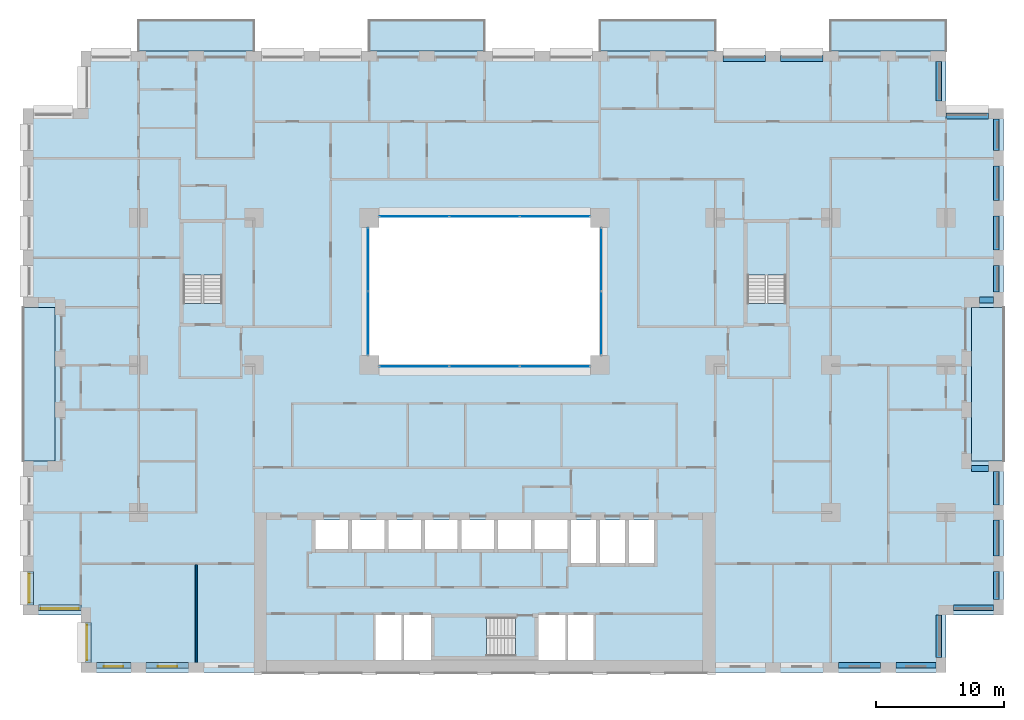
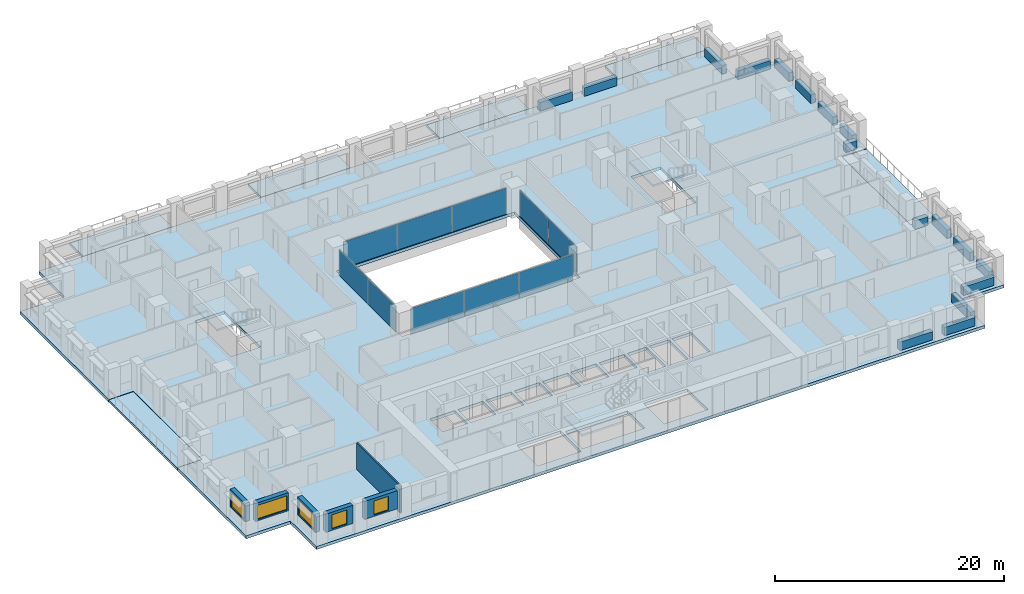
# One storey, part 8 of 20: 17 beams, 10 plates, 10 slabs, 6 walls, 5 windows, 5 openings, 7 elements without a shape of their own.
"""IFC4 building model written with IfcOpenShell, lengths in metres."""

from ifc_helpers import new_model, si_unit, direction, frame, frame_2d, origin, origin_2d, place, context, subcontext, project, spatial, polyline, rectangle, outline, extrude, material, layer, layer_set, material_profile, profile_set, type_object, element, fill, aggregate, save


model = new_model("IFC4")

# Units and contexts
model_context = context("Model", 3, precision=1e-05, world=origin(), true_north=direction((0.0, 1.0)))
body_context = subcontext(model_context, "Body", "Model", "MODEL_VIEW")
ifc_project = project(units=[si_unit("LENGTHUNIT", "METRE"), si_unit("AREAUNIT", "SQUARE_METRE"), si_unit("VOLUMEUNIT", "CUBIC_METRE"), si_unit("PLANEANGLEUNIT", "RADIAN"), si_unit("MASSUNIT", "GRAM", prefix="KILO")], contexts=[model_context])

# Site, building, storey
site_placement = place(None, origin())
site = spatial("IfcSite", under=ifc_project, at=site_placement, CompositionType="ELEMENT")
building_placement = place(site_placement, origin())
building = spatial("IfcBuilding", under=site, at=building_placement, Name="Brigalow Station Residences", CompositionType="ELEMENT")
storey_placement = place(building_placement, frame((0.0, 0.0, 66.75)))
storey = spatial("IfcBuildingStorey", under=building, at=storey_placement, Name="L19", CompositionType="ELEMENT", Elevation=66.75)

# Beams
ifc_material_1 = material(Name="Concrete C65", Category="concrete")
ifc_material_profile = material_profile(ifc_material_1, rectangle(XDim=0.449951171875, YDim=0.89990234375, at=origin_2d()), Name="RC450x900")
ifc_profile_set = profile_set([ifc_material_profile], Name="Concrete C65")
beam_type = type_object("IfcBeamType", Name="SPANDREL BEAM 450x900 C65", PredefinedType="SPANDREL", material=ifc_profile_set)
beam_1_placement = place(storey_placement, frame((63.60009765625, 0.574951171875, 0.449951171875), z_axis=(1.0, 0.0, 0.0), x_axis=(0.0, 1.0, 0.0)))
element("IfcBeam", 1, at=beam_1_placement, inside=storey, type_object=beam_type, Name="L19/spandrel/W-L19-7", PredefinedType="SPANDREL", context=body_context, shape_type="SweptSolid", body=[
    extrude(rectangle(XDim=0.449951171875, YDim=0.89990234375, at=origin_2d()), origin(), (0.0, 0.0, 1.0), 3.2998046875),
])
beam_2_placement = place(storey_placement, frame((68.10009765625, 0.574951171875, 0.449951171875), z_axis=(1.0, 0.0, 0.0), x_axis=(0.0, 1.0, 0.0)))
element("IfcBeam", 2, at=beam_2_placement, inside=storey, type_object=beam_type, Name="L19/spandrel/W-L19-8", PredefinedType="SPANDREL", context=body_context, shape_type="SweptSolid", body=[
    extrude(rectangle(XDim=0.449951171875, YDim=0.89990234375, at=origin_2d()), origin(), (0.0, 0.0, 1.0), 3.099853515625),
])
beam_3_placement = place(storey_placement, frame((71.425048828125, 1.199951171875, 0.449951171875), z_axis=(0.0, 1.0, 0.0), x_axis=(-1.0, 0.0, 0.0)))
element("IfcBeam", 3, at=beam_3_placement, inside=storey, type_object=beam_type, Name="L19/spandrel/W-L19-9", PredefinedType="SPANDREL", context=body_context, shape_type="SweptSolid", body=[
    extrude(rectangle(XDim=0.449951171875, YDim=0.89990234375, at=origin_2d()), origin(), (0.0, 0.0, 1.0), 3.300048828125),
])
beam_4_placement = place(storey_placement, frame((72.60009765625, 5.074951171875, 0.449951171875), z_axis=(1.0, 0.0, 0.0), x_axis=(0.0, 1.0, 0.0)))
element("IfcBeam", 4, at=beam_4_placement, inside=storey, type_object=beam_type, Name="L19/spandrel/W-L19-10", PredefinedType="SPANDREL", context=body_context, shape_type="SweptSolid", body=[
    extrude(rectangle(XDim=0.449951171875, YDim=0.89990234375, at=origin_2d()), origin(), (0.0, 0.0, 1.0), 3.099853515625),
])
beam_5_placement = place(storey_placement, frame((75.925048828125, 5.699951171875, 0.449951171875), z_axis=(0.0, 1.0, 0.0), x_axis=(-1.0, 0.0, 0.0)))
element("IfcBeam", 5, at=beam_5_placement, inside=storey, type_object=beam_type, Name="L19/spandrel/W-L19-11", PredefinedType="SPANDREL", context=body_context, shape_type="SweptSolid", body=[
    extrude(rectangle(XDim=0.449951171875, YDim=0.89990234375, at=origin_2d()), origin(), (0.0, 0.0, 1.0), 2.199951171875),
])
beam_6_placement = place(storey_placement, frame((75.925048828125, 9.10009765625, 0.449951171875), z_axis=(0.0, 1.0, 0.0), x_axis=(-1.0, 0.0, 0.0)))
element("IfcBeam", 6, at=beam_6_placement, inside=storey, type_object=beam_type, Name="L19/spandrel/W-L19-12", PredefinedType="SPANDREL", context=body_context, shape_type="SweptSolid", body=[
    extrude(rectangle(XDim=0.449951171875, YDim=0.89990234375, at=origin_2d()), origin(), (0.0, 0.0, 1.0), 2.7998046875),
])
beam_7_placement = place(storey_placement, frame((75.925048828125, 13.10009765625, 0.449951171875), z_axis=(0.0, 1.0, 0.0), x_axis=(-1.0, 0.0, 0.0)))
element("IfcBeam", 7, at=beam_7_placement, inside=storey, type_object=beam_type, Name="L19/spandrel/W-L19-13", PredefinedType="SPANDREL", context=body_context, shape_type="SweptSolid", body=[
    extrude(rectangle(XDim=0.449951171875, YDim=0.89990234375, at=origin_2d()), origin(), (0.0, 0.0, 1.0), 2.599853515625),
])
beam_8_placement = place(storey_placement, frame((75.300048828125, 15.925048828125, 0.449951171875), z_axis=(-1.0, 0.0, 0.0), x_axis=(0.0, -1.0, 0.0)))
element("IfcBeam", 8, at=beam_8_placement, inside=storey, type_object=beam_type, Name="L19/spandrel/W-L19-14", PredefinedType="SPANDREL", context=body_context, shape_type="SweptSolid", body=[
    extrude(rectangle(XDim=0.449951171875, YDim=0.89990234375, at=origin_2d()), origin(), (0.0, 0.0, 1.0), 1.300048828125),
])
beam_9_placement = place(storey_placement, frame((74.60009765625, 29.074951171875, 0.449951171875), z_axis=(1.0, 0.0, 0.0), x_axis=(0.0, 1.0, 0.0)))
element("IfcBeam", 9, at=beam_9_placement, inside=storey, type_object=beam_type, Name="L19/spandrel/W-L19-18", PredefinedType="SPANDREL", context=body_context, shape_type="SweptSolid", body=[
    extrude(rectangle(XDim=0.449951171875, YDim=0.89990234375, at=origin_2d()), origin(), (0.0, 0.0, 1.0), 1.099853515625),
])
beam_10_placement = place(storey_placement, frame((75.925048828125, 29.699951171875, 0.449951171875), z_axis=(0.0, 1.0, 0.0), x_axis=(-1.0, 0.0, 0.0)))
element("IfcBeam", 10, at=beam_10_placement, inside=storey, type_object=beam_type, Name="L19/spandrel/W-L19-19", PredefinedType="SPANDREL", context=body_context, shape_type="SweptSolid", body=[
    extrude(rectangle(XDim=0.449951171875, YDim=0.89990234375, at=origin_2d()), origin(), (0.0, 0.0, 1.0), 2.074951171875),
])
for number, where, z_axis, x_axis, name in (
    (11, (75.925048828125, 32.97509765625, 0.449951171875), (0.0, 1.0, 0.0), (-1.0, 0.0, 0.0), "L19/spandrel/W-L19-20"),
    (12, (75.925048828125, 36.85009765625, 0.449951171875), (0.0, 1.0, 0.0), (-1.0, 0.0, 0.0), "L19/spandrel/W-L19-21"),
):
    element("IfcBeam", number, at=place(storey_placement, frame(where, z_axis=z_axis, x_axis=x_axis)), inside=storey, type_object=beam_type, Name=name, PredefinedType="SPANDREL", context=body_context, shape_type="SweptSolid", body=[
        extrude(rectangle(XDim=0.449951171875, YDim=0.89990234375, at=origin_2d()), origin(), (0.0, 0.0, 1.0), 2.6748046875),
    ])
beam_11_placement = place(storey_placement, frame((75.925048828125, 40.72509765625, 0.449951171875), z_axis=(0.0, 1.0, 0.0), x_axis=(-1.0, 0.0, 0.0)))
element("IfcBeam", 13, at=beam_11_placement, inside=storey, type_object=beam_type, Name="L19/spandrel/W-L19-22", PredefinedType="SPANDREL", context=body_context, shape_type="SweptSolid", body=[
    extrude(rectangle(XDim=0.449951171875, YDim=0.89990234375, at=origin_2d()), origin(), (0.0, 0.0, 1.0), 2.474853515625),
])
beam_12_placement = place(storey_placement, frame((75.300048828125, 43.425048828125, 0.449951171875), z_axis=(-1.0, 0.0, 0.0), x_axis=(0.0, -1.0, 0.0)))
element("IfcBeam", 14, at=beam_12_placement, inside=storey, type_object=beam_type, Name="L19/spandrel/W-L19-23", PredefinedType="SPANDREL", context=body_context, shape_type="SweptSolid", body=[
    extrude(rectangle(XDim=0.449951171875, YDim=0.89990234375, at=origin_2d()), origin(), (0.0, 0.0, 1.0), 3.300048828125),
])
beam_13_placement = place(storey_placement, frame((71.425048828125, 44.60009765625, 0.449951171875), z_axis=(0.0, 1.0, 0.0), x_axis=(-1.0, 0.0, 0.0)))
element("IfcBeam", 15, at=beam_13_placement, inside=storey, type_object=beam_type, Name="L19/spandrel/W-L19-24", PredefinedType="SPANDREL", context=body_context, shape_type="SweptSolid", body=[
    extrude(rectangle(XDim=0.449951171875, YDim=0.89990234375, at=origin_2d()), origin(), (0.0, 0.0, 1.0), 3.099853515625),
])
for number, where, z_axis, x_axis, name in (
    (16, (62.39990234375, 47.925048828125, 0.449951171875), (-1.0, 0.0, 0.0), (0.0, -1.0, 0.0), "L19/spandrel/W-L19-27"),
    (17, (57.89990234375, 47.925048828125, 0.449951171875), (-1.0, 0.0, 0.0), (0.0, -1.0, 0.0), "L19/spandrel/W-L19-28"),
):
    element("IfcBeam", number, at=place(storey_placement, frame(where, z_axis=z_axis, x_axis=x_axis)), inside=storey, type_object=beam_type, Name=name, PredefinedType="SPANDREL", context=body_context, shape_type="SweptSolid", body=[
        extrude(rectangle(XDim=0.449951171875, YDim=0.89990234375, at=origin_2d()), origin(), (0.0, 0.0, 1.0), 3.2998046875),
    ])

# Curtain wall, plates
ifc_material_2 = material(Name="Aluminium", Category="aluminium")
ifc_layer_1 = layer(ifc_material_2, 0.14990234375)
ifc_layer_set_1 = layer_set([ifc_layer_1], Name="ATRIUM FIRE-RATED GLAZING CURTAIN WALL")
curtain_wall_type = type_object("IfcCurtainWallType", Name="ATRIUM FIRE-RATED GLAZING CURTAIN WALL", PredefinedType="NOTDEFINED", material=ifc_layer_set_1)
curtain_wall_1_placement = place(storey_placement, origin())
curtain_wall_1 = element("IfcCurtainWall", 18, at=curtain_wall_1_placement, inside=storey, type_object=curtain_wall_type, Name="L19/cw/atrium-S", PredefinedType="NOTDEFINED")
ifc_material_3 = material(Name="Fire-resisting laminated glazing, FRL -/60/-", Category="glass")
ifc_layer_2 = layer(ifc_material_3, 0.031982421875)
ifc_layer_set_2 = layer_set([ifc_layer_2], Name="ATRIUM FIRE-RATED GLAZING PANEL 32")
plate_type = type_object("IfcPlateType", Name="ATRIUM FIRE-RATED GLAZING PANEL 32", PredefinedType="CURTAIN_PANEL", material=ifc_layer_set_2)
plate_1_placement = place(storey_placement, frame((30.514892578125, 23.89990234375, 0.0), z_axis=(0.0, 0.0, 1.0), x_axis=(1.0, 0.0, 0.0)))
plate_1 = element("IfcPlate", 19, at=plate_1_placement, type_object=plate_type, Name="L19/cw/atrium-S/P00-00", PredefinedType="CURTAIN_PANEL", context=body_context, shape_type="SweptSolid", body=[
    extrude(rectangle(XDim=5.409912109375, YDim=0.031982421875, at=origin_2d()), origin(), (0.0, 0.0, 1.0), 2.77001953125),
])
plate_2_placement = place(storey_placement, frame((36.0, 23.89990234375, 0.0), z_axis=(0.0, 0.0, 1.0), x_axis=(1.0, 0.0, 0.0)))
plate_2 = element("IfcPlate", 20, at=plate_2_placement, type_object=plate_type, Name="L19/cw/atrium-S/P01-00", PredefinedType="CURTAIN_PANEL", context=body_context, shape_type="SweptSolid", body=[
    extrude(rectangle(XDim=5.43994140625, YDim=0.031982421875, at=origin_2d()), origin(), (0.0, 0.0, 1.0), 2.77001953125),
])
plate_3_placement = place(storey_placement, frame((41.485107421875, 23.89990234375, 0.0), z_axis=(0.0, 0.0, 1.0), x_axis=(1.0, 0.0, 0.0)))
plate_3 = element("IfcPlate", 21, at=plate_3_placement, type_object=plate_type, Name="L19/cw/atrium-S/P02-00", PredefinedType="CURTAIN_PANEL", context=body_context, shape_type="SweptSolid", body=[
    extrude(rectangle(XDim=5.409912109375, YDim=0.031982421875, at=origin_2d()), origin(), (0.0, 0.0, 1.0), 2.77001953125),
])
aggregate(curtain_wall_1, [plate_1, plate_2, plate_3])

curtain_wall_2_placement = place(storey_placement, origin())
curtain_wall_2 = element("IfcCurtainWall", 22, at=curtain_wall_2_placement, inside=storey, type_object=curtain_wall_type, Name="L19/cw/atrium-E", PredefinedType="NOTDEFINED")
plate_4_placement = place(storey_placement, frame((45.10009765625, 27.264892578125, 0.0), z_axis=(0.0, 0.0, 1.0), x_axis=(0.0, 1.0, 0.0)))
plate_4 = element("IfcPlate", 23, at=plate_4_placement, type_object=plate_type, Name="L19/cw/atrium-E/P00-00", PredefinedType="CURTAIN_PANEL", context=body_context, shape_type="SweptSolid", body=[
    extrude(rectangle(XDim=4.909912109375, YDim=0.031982421875, at=origin_2d()), origin(), (0.0, 0.0, 1.0), 2.77001953125),
])
plate_5_placement = place(storey_placement, frame((45.10009765625, 32.235107421875, 0.0), z_axis=(0.0, 0.0, 1.0), x_axis=(0.0, 1.0, 0.0)))
plate_5 = element("IfcPlate", 24, at=plate_5_placement, type_object=plate_type, Name="L19/cw/atrium-E/P01-00", PredefinedType="CURTAIN_PANEL", context=body_context, shape_type="SweptSolid", body=[
    extrude(rectangle(XDim=4.909912109375, YDim=0.031982421875, at=origin_2d()), origin(), (0.0, 0.0, 1.0), 2.77001953125),
])
aggregate(curtain_wall_2, [plate_4, plate_5])

curtain_wall_3_placement = place(storey_placement, origin())
curtain_wall_3 = element("IfcCurtainWall", 25, at=curtain_wall_3_placement, inside=storey, type_object=curtain_wall_type, Name="L19/cw/atrium-N", PredefinedType="NOTDEFINED")
plate_6_placement = place(storey_placement, frame((41.485107421875, 35.60009765625, 0.0), z_axis=(0.0, 0.0, 1.0), x_axis=(-1.0, 0.0, 0.0)))
plate_6 = element("IfcPlate", 26, at=plate_6_placement, type_object=plate_type, Name="L19/cw/atrium-N/P00-00", PredefinedType="CURTAIN_PANEL", context=body_context, shape_type="SweptSolid", body=[
    extrude(rectangle(XDim=5.409912109375, YDim=0.031982421875, at=origin_2d()), origin(), (0.0, 0.0, 1.0), 2.77001953125),
])
plate_7_placement = place(storey_placement, frame((36.0, 35.60009765625, 0.0), z_axis=(0.0, 0.0, 1.0), x_axis=(-1.0, 0.0, 0.0)))
plate_7 = element("IfcPlate", 27, at=plate_7_placement, type_object=plate_type, Name="L19/cw/atrium-N/P01-00", PredefinedType="CURTAIN_PANEL", context=body_context, shape_type="SweptSolid", body=[
    extrude(rectangle(XDim=5.43994140625, YDim=0.031982421875, at=origin_2d()), origin(), (0.0, 0.0, 1.0), 2.77001953125),
])
plate_8_placement = place(storey_placement, frame((30.514892578125, 35.60009765625, 0.0), z_axis=(0.0, 0.0, 1.0), x_axis=(-1.0, 0.0, 0.0)))
plate_8 = element("IfcPlate", 28, at=plate_8_placement, type_object=plate_type, Name="L19/cw/atrium-N/P02-00", PredefinedType="CURTAIN_PANEL", context=body_context, shape_type="SweptSolid", body=[
    extrude(rectangle(XDim=5.409912109375, YDim=0.031982421875, at=origin_2d()), origin(), (0.0, 0.0, 1.0), 2.77001953125),
])
aggregate(curtain_wall_3, [plate_6, plate_7, plate_8])

curtain_wall_4_placement = place(storey_placement, origin())
curtain_wall_4 = element("IfcCurtainWall", 29, at=curtain_wall_4_placement, inside=storey, type_object=curtain_wall_type, Name="L19/cw/atrium-W", PredefinedType="NOTDEFINED")
plate_9_placement = place(storey_placement, frame((26.89990234375, 32.235107421875, 0.0), z_axis=(0.0, 0.0, 1.0), x_axis=(0.0, -1.0, 0.0)))
plate_9 = element("IfcPlate", 30, at=plate_9_placement, type_object=plate_type, Name="L19/cw/atrium-W/P00-00", PredefinedType="CURTAIN_PANEL", context=body_context, shape_type="SweptSolid", body=[
    extrude(rectangle(XDim=4.909912109375, YDim=0.031982421875, at=origin_2d()), origin(), (0.0, 0.0, 1.0), 2.77001953125),
])
plate_10_placement = place(storey_placement, frame((26.89990234375, 27.264892578125, 0.0), z_axis=(0.0, 0.0, 1.0), x_axis=(0.0, -1.0, 0.0)))
plate_10 = element("IfcPlate", 31, at=plate_10_placement, type_object=plate_type, Name="L19/cw/atrium-W/P01-00", PredefinedType="CURTAIN_PANEL", context=body_context, shape_type="SweptSolid", body=[
    extrude(rectangle(XDim=4.909912109375, YDim=0.031982421875, at=origin_2d()), origin(), (0.0, 0.0, 1.0), 2.77001953125),
])
aggregate(curtain_wall_4, [plate_9, plate_10])

# Slabs
ifc_material_4 = material(Name="Concrete C50 precast", Category="concrete")
ifc_layer_3 = layer(ifc_material_4, 0.25)
ifc_layer_set_3 = layer_set([ifc_layer_3], Name="BALCONY SLAB 250")
slab_type_1 = type_object("IfcSlabType", Name="BALCONY SLAB 250", PredefinedType="USERDEFINED", material=ifc_layer_set_3)
slab_1_placement = place(storey_placement, frame((0.0, 0.0, -0.2900390625)))
element("IfcSlab", 32, at=slab_1_placement, inside=storey, type_object=slab_type_1, Name="L19/balcony/1", ObjectType="BALCONY", PredefinedType="USERDEFINED", context=body_context, shape_type="SweptSolid", body=[
    extrude(outline(polyline([(74.0, 16.5), (76.5, 16.5), (76.5, 28.5), (74.0, 28.5), (74.0, 16.5)])), origin(), (0.0, 0.0, 1.0), 0.25),
])
slab_2_placement = place(storey_placement, frame((0.0, 0.0, -0.2900390625)))
element("IfcSlab", 33, at=slab_2_placement, inside=storey, type_object=slab_type_1, Name="L19/balcony/2", ObjectType="BALCONY", PredefinedType="USERDEFINED", context=body_context, shape_type="SweptSolid", body=[
    extrude(outline(polyline([(72.0, 48.5), (72.0, 50.89990234375), (63.0, 50.89990234375), (63.0, 48.5), (72.0, 48.5)])), origin(), (0.0, 0.0, 1.0), 0.25),
])
slab_3_placement = place(storey_placement, frame((0.0, 0.0, -0.2900390625)))
element("IfcSlab", 34, at=slab_3_placement, inside=storey, type_object=slab_type_1, Name="L19/balcony/3", ObjectType="BALCONY", PredefinedType="USERDEFINED", context=body_context, shape_type="SweptSolid", body=[
    extrude(outline(polyline([(54.0, 48.5), (54.0, 50.89990234375), (45.0, 50.89990234375), (45.0, 48.5), (54.0, 48.5)])), origin(), (0.0, 0.0, 1.0), 0.25),
])
slab_4_placement = place(storey_placement, frame((0.0, 0.0, -0.2900390625)))
element("IfcSlab", 35, at=slab_4_placement, inside=storey, type_object=slab_type_1, Name="L19/balcony/4", ObjectType="BALCONY", PredefinedType="USERDEFINED", context=body_context, shape_type="SweptSolid", body=[
    extrude(outline(polyline([(36.0, 48.5), (36.0, 50.89990234375), (27.0, 50.89990234375), (27.0, 48.5), (36.0, 48.5)])), origin(), (0.0, 0.0, 1.0), 0.25),
])
slab_5_placement = place(storey_placement, frame((0.0, 0.0, -0.2900390625)))
element("IfcSlab", 36, at=slab_5_placement, inside=storey, type_object=slab_type_1, Name="L19/balcony/5", ObjectType="BALCONY", PredefinedType="USERDEFINED", context=body_context, shape_type="SweptSolid", body=[
    extrude(outline(polyline([(18.0, 48.5), (18.0, 50.89990234375), (9.0, 50.89990234375), (9.0, 48.5), (18.0, 48.5)])), origin(), (0.0, 0.0, 1.0), 0.25),
])
slab_6_placement = place(storey_placement, frame((0.0, 0.0, -0.2900390625)))
element("IfcSlab", 37, at=slab_6_placement, inside=storey, type_object=slab_type_1, Name="L19/balcony/6", ObjectType="BALCONY", PredefinedType="USERDEFINED", context=body_context, shape_type="SweptSolid", body=[
    extrude(outline(polyline([(2.5, 28.5), (0.0, 28.5), (0.0, 16.5), (2.5, 16.5), (2.5, 28.5)])), origin(), (0.0, 0.0, 1.0), 0.25),
])
ifc_material_5 = material(Name="Concrete C50", Category="concrete")
ifc_layer_4 = layer(ifc_material_5, 0.320068359375)
ifc_layer_set_4 = layer_set([ifc_layer_4], Name="POST-TENSIONED FLAT PLATE 320 C50")
slab_type_2 = type_object("IfcSlabType", Name="POST-TENSIONED FLAT PLATE 320 C50", PredefinedType="FLOOR", material=ifc_layer_set_4)
slab_7_placement = place(storey_placement, frame((0.0, 0.0, -0.320068359375)))
element("IfcSlab", 38, at=slab_7_placement, inside=storey, type_object=slab_type_2, Name="FLOOR SLAB L19", PredefinedType="FLOOR", context=body_context, shape_type="SweptSolid", body=[
    extrude(outline(polyline([(4.5, 0.0), (72.0, 0.0), (72.0, 4.5), (76.5, 4.5), (76.5, 16.5), (74.0, 16.5), (74.0, 28.5), (76.5, 28.5), (76.5, 44.0), (72.0, 44.0), (72.0, 48.5), (4.5, 48.5), (4.5, 44.0), (0.0, 44.0), (0.0, 28.5), (2.5, 28.5), (2.5, 16.5), (0.0, 16.5), (0.0, 4.5), (4.5, 4.5), (4.5, 0.0)]), holes=[polyline([(15.4951171875, 35.094970703125), (15.4951171875, 28.804931640625), (12.5048828125, 28.804931640625), (12.5048828125, 35.094970703125), (15.4951171875, 35.094970703125)]), polyline([(22.800048828125, 11.89990234375), (25.35009765625, 11.89990234375), (25.35009765625, 9.64990234375), (22.800048828125, 9.64990234375), (22.800048828125, 11.89990234375)]), polyline([(25.64990234375, 11.89990234375), (28.199951171875, 11.89990234375), (28.199951171875, 9.64990234375), (25.64990234375, 9.64990234375), (25.64990234375, 11.89990234375)]), polyline([(28.5, 11.89990234375), (31.050048828125, 11.89990234375), (31.050048828125, 9.64990234375), (28.5, 9.64990234375), (28.5, 11.89990234375)]), polyline([(29.60009765625, 1.0), (27.39990234375, 1.0), (27.39990234375, 4.60009765625), (29.60009765625, 4.60009765625), (31.800048828125, 4.60009765625), (31.800048828125, 1.0), (29.60009765625, 1.0)]), polyline([(31.35009765625, 11.89990234375), (33.89990234375, 11.89990234375), (33.89990234375, 9.64990234375), (31.35009765625, 9.64990234375), (31.35009765625, 11.89990234375)]), polyline([(32.10498046875, 4.294921875), (38.39501953125, 4.294921875), (38.39501953125, 1.304931640625), (32.10498046875, 1.304931640625), (32.10498046875, 4.294921875)]), polyline([(36.75, 11.89990234375), (36.75, 9.64990234375), (34.199951171875, 9.64990234375), (34.199951171875, 11.89990234375), (36.75, 11.89990234375)]), polyline([(37.050048828125, 11.89990234375), (39.60009765625, 11.89990234375), (39.60009765625, 9.64990234375), (37.050048828125, 9.64990234375), (37.050048828125, 11.89990234375)]), polyline([(39.89990234375, 11.89990234375), (42.449951171875, 11.89990234375), (42.449951171875, 9.64990234375), (39.89990234375, 9.64990234375), (39.89990234375, 11.89990234375)]), polyline([(42.39990234375, 1.0), (40.199951171875, 1.0), (40.199951171875, 4.60009765625), (42.39990234375, 4.60009765625), (44.60009765625, 4.60009765625), (44.60009765625, 1.0), (42.39990234375, 1.0)]), polyline([(42.75, 11.89990234375), (44.699951171875, 11.89990234375), (44.699951171875, 8.550048828125), (42.75, 8.550048828125), (42.75, 11.89990234375)]), polyline([(45.0, 11.89990234375), (46.949951171875, 11.89990234375), (46.949951171875, 8.550048828125), (45.0, 8.550048828125), (45.0, 11.89990234375)]), polyline([(45.0, 35.5), (45.0, 24.0), (27.0, 24.0), (27.0, 35.5), (45.0, 35.5)]), polyline([(47.25, 11.89990234375), (49.199951171875, 11.89990234375), (49.199951171875, 8.550048828125), (47.25, 8.550048828125), (47.25, 11.89990234375)]), polyline([(59.4951171875, 35.094970703125), (59.4951171875, 28.804931640625), (56.5048828125, 28.804931640625), (56.5048828125, 35.094970703125), (59.4951171875, 35.094970703125)])]), origin(), (0.0, 0.0, 1.0), 0.320068359375),
])

# Stair, slab
ifc_material_6 = material(Name="Concrete C50", Category="concrete")
stair_type = type_object("IfcStairType", Name="EXIT STAIR 1400 2 FLIGHT", PredefinedType="HALF_TURN_STAIR", material=ifc_material_6)
stair_1_placement = place(storey_placement, origin())
stair_1 = element("IfcStair", 39, at=stair_1_placement, inside=storey, type_object=stair_type, Name="EXIT STAIR S2 L19", PredefinedType="HALF_TURN_STAIR")
ifc_material_7 = material(Name="Concrete C50", Category="concrete")
ifc_layer_5 = layer(ifc_material_7, 0.199951171875)
ifc_layer_set_5 = layer_set([ifc_layer_5], Name="STAIR LANDING 200")
slab_type_3 = type_object("IfcSlabType", Name="STAIR LANDING 200", PredefinedType="LANDING", material=ifc_layer_set_5)
slab_8_placement = place(storey_placement, frame((0.0, 0.0, 1.375)))
slab_8 = element("IfcSlab", 40, at=slab_8_placement, type_object=slab_type_3, Name="ST-2 landing 1", PredefinedType="LANDING", context=body_context, shape_type="SweptSolid", body=[
    extrude(outline(polyline([(32.0, 1.199951171875), (36.159912109375, 1.199951171875), (36.159912109375, 4.39990234375), (32.0, 4.39990234375), (32.0, 1.199951171875)])), origin(), (0.0, 0.0, 1.0), 0.199951171875),
])
aggregate(stair_1, [slab_8])

stair_2_placement = place(storey_placement, origin())
stair_2 = element("IfcStair", 41, at=stair_2_placement, inside=storey, type_object=stair_type, Name="EXIT STAIR S1 L19", PredefinedType="HALF_TURN_STAIR")
slab_9_placement = place(storey_placement, frame((0.0, 0.0, 1.375)))
slab_9 = element("IfcSlab", 42, at=slab_9_placement, type_object=slab_type_3, Name="ST-1 landing 1", PredefinedType="LANDING", context=body_context, shape_type="SweptSolid", body=[
    extrude(outline(polyline([(12.39990234375, 31.0400390625), (15.60009765625, 31.0400390625), (15.60009765625, 35.199951171875), (12.39990234375, 35.199951171875), (12.39990234375, 31.0400390625)])), origin(), (0.0, 0.0, 1.0), 0.199951171875),
])
aggregate(stair_2, [slab_9])

stair_3_placement = place(storey_placement, origin())
stair_3 = element("IfcStair", 43, at=stair_3_placement, inside=storey, type_object=stair_type, Name="EXIT STAIR S3 L19", PredefinedType="HALF_TURN_STAIR")
slab_10_placement = place(storey_placement, frame((0.0, 0.0, 1.375)))
slab_10 = element("IfcSlab", 44, at=slab_10_placement, type_object=slab_type_3, Name="ST-3 landing 1", PredefinedType="LANDING", context=body_context, shape_type="SweptSolid", body=[
    extrude(outline(polyline([(56.39990234375, 31.0400390625), (59.60009765625, 31.0400390625), (59.60009765625, 35.199951171875), (56.39990234375, 35.199951171875), (56.39990234375, 31.0400390625)])), origin(), (0.0, 0.0, 1.0), 0.199951171875),
])
aggregate(stair_3, [slab_10])

# Wall, opening, window
ifc_material_8 = material(Name="Clay brick masonry", Category="masonry")
ifc_layer_6 = layer(ifc_material_8, 0.449951171875)
ifc_layer_set_6 = layer_set([ifc_layer_6], Name="BRICK INFILL WALL 450")
wall_type_1 = type_object("IfcWallType", Name="BRICK INFILL WALL 450", PredefinedType="SOLIDWALL", material=ifc_layer_set_6)
wall_1_placement = place(storey_placement, frame((5.699951171875, 0.574951171875, 0.89990234375), z_axis=(0.0, 0.0, 1.0), x_axis=(1.0, 0.0, 0.0)))
wall_1 = element("IfcWall", 45, at=wall_1_placement, inside=storey, type_object=wall_type_1, Name="L19/ewall/W-L19-1", PredefinedType="SOLIDWALL", context=body_context, shape_type="SweptSolid", body=[
    extrude(rectangle(XDim=2.699951171875, YDim=0.449951171875, at=frame_2d((1.35009765625, 0.0))), origin(), (0.0, 0.0, 1.0), 1.93017578125),
])
opening_1_placement = place(wall_1_placement, frame((0.60009765625, 0.0, 0.14990234375)))
opening_1 = element("IfcOpeningElement", 46, at=opening_1_placement, cuts=wall_1, Name="Opening WT-1", PredefinedType="OPENING", context=body_context, shape_type="SweptSolid", body=[
    extrude(rectangle(XDim=1.5, YDim=1.5, at=frame_2d((0.75, 0.75))), frame((0.0, 0.23486328125, 0.0), z_axis=(0.0, -1.0, 0.0), x_axis=(1.0, 0.0, 0.0)), (0.0, 0.0, 1.0), 0.469970703125),
])
ifc_material_9 = material(Name="Anodised aluminium frame with double glazing", Category="aluminium")
window_type_1 = type_object("IfcWindowType", Name="WINDOW 1500x1500", PartitioningType="SINGLE_PANEL", PredefinedType="WINDOW", material=ifc_material_9)
window_1_placement = place(opening_1_placement, origin())
window_1 = element("IfcWindow", 47, at=window_1_placement, inside=storey, type_object=window_type_1, Name="L19/window/W-L19-1", OverallHeight=1.5, OverallWidth=1.5, PartitioningType="SINGLE_PANEL", PredefinedType="WINDOW", context=body_context, shape_type="SweptSolid", body=[
    extrude(rectangle(XDim=1.5, YDim=1.5, at=frame_2d((0.75, 0.75))), frame((0.0, -0.06494140625, 0.0), z_axis=(0.0, -1.0, 0.0), x_axis=(1.0, 0.0, 0.0)), (0.0, 0.0, 1.0), 0.06005859375),
])
fill(opening_1, window_1)

wall_2_placement = place(storey_placement, frame((9.60009765625, 0.574951171875, 0.89990234375), z_axis=(0.0, 0.0, 1.0), x_axis=(1.0, 0.0, 0.0)))
wall_2 = element("IfcWall", 48, at=wall_2_placement, inside=storey, type_object=wall_type_1, Name="L19/ewall/W-L19-2", PredefinedType="SOLIDWALL", context=body_context, shape_type="SweptSolid", body=[
    extrude(rectangle(XDim=3.2998046875, YDim=0.449951171875, at=frame_2d((1.64990234375, 0.0))), origin(), (0.0, 0.0, 1.0), 1.93017578125),
])
opening_2_placement = place(wall_2_placement, frame((0.89990234375, 0.0, 0.14990234375)))
opening_2 = element("IfcOpeningElement", 49, at=opening_2_placement, cuts=wall_2, Name="Opening WT-1", PredefinedType="OPENING", context=body_context, shape_type="SweptSolid", body=[
    extrude(rectangle(XDim=1.5, YDim=1.5, at=frame_2d((0.75, 0.75))), frame((0.0, 0.23486328125, 0.0), z_axis=(0.0, -1.0, 0.0), x_axis=(1.0, 0.0, 0.0)), (0.0, 0.0, 1.0), 0.469970703125),
])
window_2_placement = place(opening_2_placement, origin())
window_2 = element("IfcWindow", 50, at=window_2_placement, inside=storey, type_object=window_type_1, Name="L19/window/W-L19-2", OverallHeight=1.5, OverallWidth=1.5, PartitioningType="SINGLE_PANEL", PredefinedType="WINDOW", context=body_context, shape_type="SweptSolid", body=[
    extrude(rectangle(XDim=1.5, YDim=1.5, at=frame_2d((0.75, 0.75))), frame((0.0, -0.06494140625, 0.0), z_axis=(0.0, -1.0, 0.0), x_axis=(1.0, 0.0, 0.0)), (0.0, 0.0, 1.0), 0.06005859375),
])
fill(opening_2, window_2)

wall_3_placement = place(storey_placement, frame((0.574951171875, 7.89990234375, 0.89990234375), z_axis=(0.0, 0.0, 1.0), x_axis=(0.0, -1.0, 0.0)))
wall_3 = element("IfcWall", 51, at=wall_3_placement, inside=storey, type_object=wall_type_1, Name="L19/ewall/W-L19-53", PredefinedType="SOLIDWALL", context=body_context, shape_type="SweptSolid", body=[
    extrude(rectangle(XDim=2.599853515625, YDim=0.449951171875, at=frame_2d((1.2998046875, 0.0))), origin(), (0.0, 0.0, 1.0), 1.93017578125),
])
opening_3_placement = place(wall_3_placement, frame((0.175048828125, 0.0, 0.14990234375)))
opening_3 = element("IfcOpeningElement", 52, at=opening_3_placement, cuts=wall_3, Name="Opening WT-6", PredefinedType="OPENING", context=body_context, shape_type="SweptSolid", body=[
    extrude(rectangle(XDim=2.25, YDim=1.5, at=frame_2d((1.125, 0.75))), frame((0.0, 0.23486328125, 0.0), z_axis=(0.0, -1.0, 0.0), x_axis=(1.0, 0.0, 0.0)), (0.0, 0.0, 1.0), 0.469970703125),
])
ifc_material_10 = material(Name="Anodised aluminium frame with double glazing", Category="aluminium")
window_type_2 = type_object("IfcWindowType", Name="WINDOW 2250x1500", PartitioningType="SINGLE_PANEL", PredefinedType="WINDOW", material=ifc_material_10)
window_3_placement = place(opening_3_placement, origin())
window_3 = element("IfcWindow", 53, at=window_3_placement, inside=storey, type_object=window_type_2, Name="L19/window/W-L19-53", OverallHeight=1.5, OverallWidth=2.25, PartitioningType="SINGLE_PANEL", PredefinedType="WINDOW", context=body_context, shape_type="SweptSolid", body=[
    extrude(rectangle(XDim=2.25, YDim=1.5, at=frame_2d((1.125, 0.75))), frame((0.0, -0.06494140625, 0.0), z_axis=(0.0, -1.0, 0.0), x_axis=(1.0, 0.0, 0.0)), (0.0, 0.0, 1.0), 0.06005859375),
])
fill(opening_3, window_3)

wall_4_placement = place(storey_placement, frame((1.199951171875, 5.074951171875, 0.89990234375), z_axis=(0.0, 0.0, 1.0), x_axis=(1.0, 0.0, 0.0)))
wall_4 = element("IfcWall", 54, at=wall_4_placement, inside=storey, type_object=wall_type_1, Name="L19/ewall/W-L19-54", PredefinedType="SOLIDWALL", context=body_context, shape_type="SweptSolid", body=[
    extrude(rectangle(XDim=3.300048828125, YDim=0.449951171875, at=frame_2d((1.64990234375, 0.0))), origin(), (0.0, 0.0, 1.0), 1.93017578125),
])
opening_4_placement = place(wall_4_placement, frame((0.14990234375, 0.0, 0.14990234375)))
opening_4 = element("IfcOpeningElement", 55, at=opening_4_placement, cuts=wall_4, Name="Opening WT-2", PredefinedType="OPENING", context=body_context, shape_type="SweptSolid", body=[
    extrude(rectangle(XDim=3.0, YDim=1.5, at=frame_2d((1.5, 0.75))), frame((0.0, 0.23486328125, 0.0), z_axis=(0.0, -1.0, 0.0), x_axis=(1.0, 0.0, 0.0)), (0.0, 0.0, 1.0), 0.469970703125),
])
ifc_material_11 = material(Name="Anodised aluminium frame with double glazing", Category="aluminium")
window_type_3 = type_object("IfcWindowType", Name="WINDOW 3000x1500", PartitioningType="SINGLE_PANEL", PredefinedType="WINDOW", material=ifc_material_11)
window_4_placement = place(opening_4_placement, origin())
window_4 = element("IfcWindow", 56, at=window_4_placement, inside=storey, type_object=window_type_3, Name="L19/window/W-L19-54", OverallHeight=1.5, OverallWidth=3.0, PartitioningType="SINGLE_PANEL", PredefinedType="WINDOW", context=body_context, shape_type="SweptSolid", body=[
    extrude(rectangle(XDim=3.0, YDim=1.5, at=frame_2d((1.5, 0.75))), frame((0.0, -0.06494140625, 0.0), z_axis=(0.0, -1.0, 0.0), x_axis=(1.0, 0.0, 0.0)), (0.0, 0.0, 1.0), 0.06005859375),
])
fill(opening_4, window_4)

wall_5_placement = place(storey_placement, frame((5.074951171875, 3.89990234375, 0.89990234375), z_axis=(0.0, 0.0, 1.0), x_axis=(0.0, -1.0, 0.0)))
wall_5 = element("IfcWall", 57, at=wall_5_placement, inside=storey, type_object=wall_type_1, Name="L19/ewall/W-L19-55", PredefinedType="SOLIDWALL", context=body_context, shape_type="SweptSolid", body=[
    extrude(rectangle(XDim=3.099853515625, YDim=0.449951171875, at=frame_2d((1.5498046875, 0.0))), origin(), (0.0, 0.0, 1.0), 1.93017578125),
])
opening_5_placement = place(wall_5_placement, frame((0.175048828125, 0.0, 0.14990234375)))
opening_5 = element("IfcOpeningElement", 58, at=opening_5_placement, cuts=wall_5, Name="Opening WT-3", PredefinedType="OPENING", context=body_context, shape_type="SweptSolid", body=[
    extrude(rectangle(XDim=2.75, YDim=1.5, at=frame_2d((1.375, 0.75))), frame((0.0, 0.23486328125, 0.0), z_axis=(0.0, -1.0, 0.0), x_axis=(1.0, 0.0, 0.0)), (0.0, 0.0, 1.0), 0.469970703125),
])
ifc_material_12 = material(Name="Anodised aluminium frame with double glazing", Category="aluminium")
window_type_4 = type_object("IfcWindowType", Name="WINDOW 2750x1500", PartitioningType="SINGLE_PANEL", PredefinedType="WINDOW", material=ifc_material_12)
window_5_placement = place(opening_5_placement, origin())
window_5 = element("IfcWindow", 59, at=window_5_placement, inside=storey, type_object=window_type_4, Name="L19/window/W-L19-55", OverallHeight=1.5, OverallWidth=2.75, PartitioningType="SINGLE_PANEL", PredefinedType="WINDOW", context=body_context, shape_type="SweptSolid", body=[
    extrude(rectangle(XDim=2.75, YDim=1.5, at=frame_2d((1.375, 0.75))), frame((0.0, -0.06494140625, 0.0), z_axis=(0.0, -1.0, 0.0), x_axis=(1.0, 0.0, 0.0)), (0.0, 0.0, 1.0), 0.06005859375),
])
fill(opening_5, window_5)

# Wall
ifc_material_13 = material(Name="Plasterboard on steel stud partition", Category="steel")
ifc_layer_7 = layer(ifc_material_13, 0.14990234375)
ifc_layer_set_7 = layer_set([ifc_layer_7], Name="FLAT PARTITION 150")
wall_type_2 = type_object("IfcWallType", Name="FLAT PARTITION 150", PredefinedType="PARTITIONING", material=ifc_layer_set_7)
wall_6_placement = place(storey_placement, frame((13.5, 0.800048828125, 0.0), z_axis=(0.0, 0.0, 1.0), x_axis=(0.0, 1.0, 0.0)))
element("IfcWall", 60, at=wall_6_placement, inside=storey, type_object=wall_type_2, Name="PW-1G50", PredefinedType="PARTITIONING", context=body_context, shape_type="SweptSolid", body=[
    extrude(rectangle(XDim=7.625, YDim=0.14990234375, at=frame_2d((3.8125, 0.0))), origin(), (0.0, 0.0, 1.0), 2.830078125),
])

save(model, "model.ifc")
